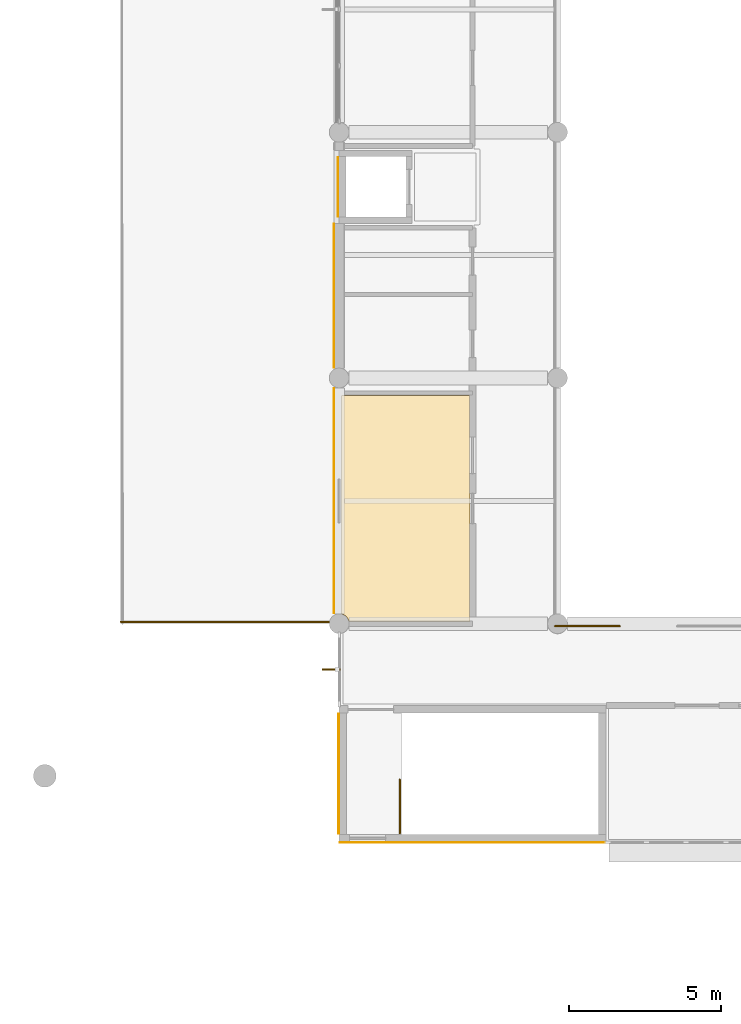
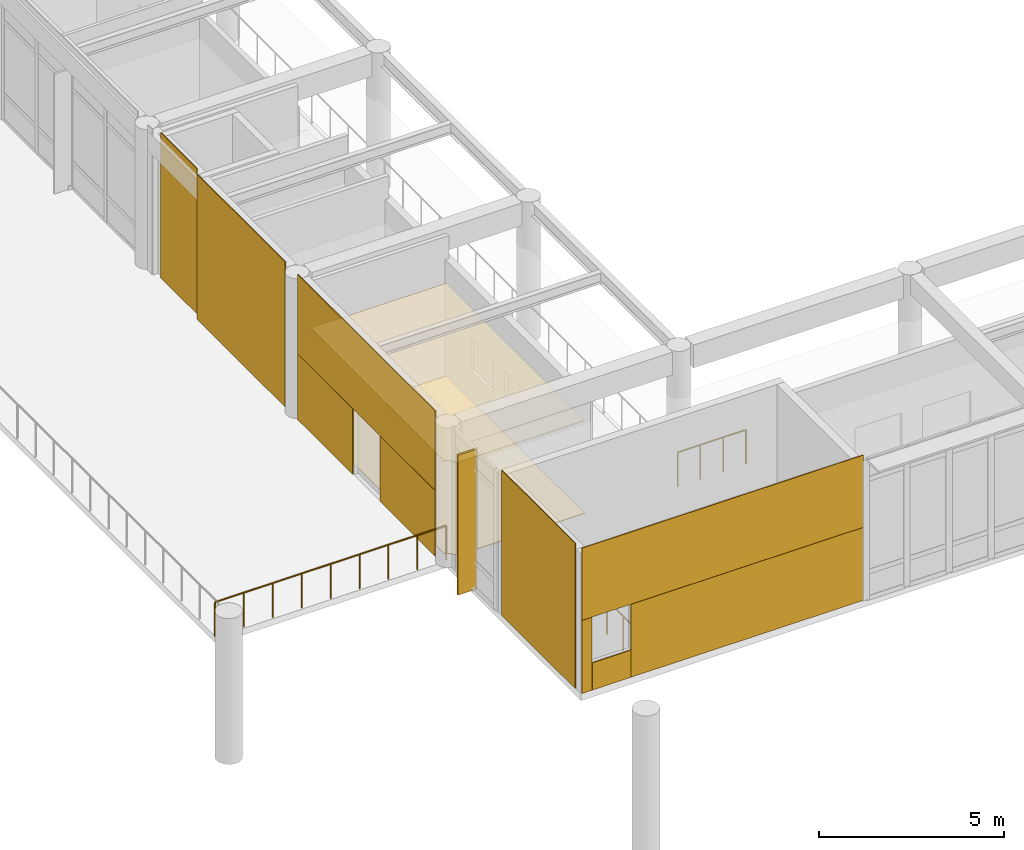
# One storey, part 67 of 92: 12 coverings, 3 railings, 1 shading device.
"""IFC4 building model written with IfcOpenShell, lengths in metres."""

from ifc_helpers import new_model, si_unit, direction, frame, origin, origin_2d, place, context, subcontext, project, spatial, polyline, rectangle, circle, outline, extrude, material, layer, layer_set, type_object, element, save


model = new_model("IFC4")

# Units and contexts
model_context = context("Model", 3, precision=1e-05, world=origin(), true_north=direction((0.0, 1.0)))
body_context = subcontext(model_context, "Body", "Model", "MODEL_VIEW")
ifc_project = project(units=[si_unit("LENGTHUNIT", "METRE"), si_unit("AREAUNIT", "SQUARE_METRE"), si_unit("VOLUMEUNIT", "CUBIC_METRE"), si_unit("PLANEANGLEUNIT", "RADIAN"), si_unit("MASSUNIT", "GRAM", prefix="KILO")], contexts=[model_context])

# Site, building, storey
site_placement = place(None, origin())
site = spatial("IfcSite", under=ifc_project, at=site_placement, CompositionType="ELEMENT")
building_placement = place(site_placement, origin())
building = spatial("IfcBuilding", under=site, at=building_placement, Name="Namkhue Oval Health Centre", CompositionType="ELEMENT")
storey_placement = place(building_placement, frame((0.0, 0.0, 4.800048828125)))
storey = spatial("IfcBuildingStorey", under=building, at=storey_placement, Name="L01", CompositionType="ELEMENT", Elevation=4.800048828125)

# Coverings
ifc_material_1 = material(Name="Acoustic mineral-fibre cleanroom ceiling", Category="gypsum")
ifc_layer_1 = layer(ifc_material_1, 0.02001953125)
ifc_layer_set_1 = layer_set([ifc_layer_1], Name="Acoustic mineral-fibre cleanroom ceiling")
covering_type_1 = type_object("IfcCoveringType", Name="ACOUSTIC CLEANROOM CEILING 20", PredefinedType="CEILING", material=ifc_layer_set_1)
covering_1_placement = place(storey_placement, frame((0.0, 0.0, 3.050048828125)))
element("IfcCovering", 1, at=covering_1_placement, inside=storey, type_object=covering_type_1, Name="Acoustic Ceiling L01-101 Waiting Hall West Terrace Lounge", PredefinedType="CEILING", context=body_context, shape_type="SweptSolid", body=[
    extrude(outline(polyline([(21.92578125, 43.27001953125), (21.923583984375, 43.28662109375), (21.89013671875, 43.367431640625), (21.8369140625, 43.43701171875), (21.767578125, 43.489990234375), (21.68505859375, 43.523681640625), (21.68505859375, 50.72998046875), (25.919921875, 50.72998046875), (25.919921875, 43.27001953125), (21.92578125, 43.27001953125)])), origin(), (0.0, 0.0, 1.0), 0.02001953125),
])
ifc_material_2 = material(Name="Homogeneous anti-bacterial clinical vinyl flooring", Category="plastic")
ifc_layer_2 = layer(ifc_material_2, 0.014892578125)
ifc_layer_set_2 = layer_set([ifc_layer_2], Name="Homogeneous anti-bacterial clinical vinyl flooring")
covering_type_2 = type_object("IfcCoveringType", Name="CLINICAL ANTIBACTERIAL VINYL FLOORING 15", PredefinedType="FLOORING", material=ifc_layer_set_2)
covering_2_placement = place(storey_placement, origin())
element("IfcCovering", 2, at=covering_2_placement, inside=storey, type_object=covering_type_2, Name="Clinical Flooring L01-101 Waiting Hall West Terrace Lounge", PredefinedType="FLOORING", context=body_context, shape_type="SweptSolid", body=[
    extrude(outline(polyline([(21.92578125, 43.27001953125), (21.923583984375, 43.28662109375), (21.89013671875, 43.367431640625), (21.8369140625, 43.43701171875), (21.767578125, 43.489990234375), (21.68505859375, 43.523681640625), (21.68505859375, 50.72998046875), (25.919921875, 50.72998046875), (25.919921875, 43.27001953125), (21.92578125, 43.27001953125)])), origin(), (0.0, 0.0, 1.0), 0.014892578125),
])

# Railings
ifc_material_3 = material(Name="Brushed stainless steel 316L balustrade with laminated glass infill", Category="steel")
railing_type_1 = type_object("IfcRailingType", Name="EXTERIOR BALUSTRADE GUARD 1150", PredefinedType="BALUSTRADE", material=ifc_material_3)
railing_1_placement = place(storey_placement, frame((14.39990234375, 43.260009765625, 0.0)))
element("IfcRailing", 3, at=railing_1_placement, inside=storey, type_object=railing_type_1, Name="Volume V1 L01 Terrace Balustrade Guard 1", PredefinedType="BALUSTRADE", context=body_context, shape_type="SweptSolid", body=[
    extrude(circle(Radius=0.02392578125, at=origin_2d()), frame((0.0, 0.0, 1.1259765625), z_axis=(1.0, 0.0, 0.0), x_axis=(0.0, 1.0, 0.0)), (0.0, 0.0, 1.0), 7.2001953125),
    extrude(circle(Radius=0.02099609375, at=origin_2d()), origin(), (0.0, 0.0, 1.0), 1.101806640625),
    extrude(circle(Radius=0.02099609375, at=origin_2d()), frame((0.89990234375, 0.0, 0.0)), (0.0, 0.0, 1.0), 1.101806640625),
    extrude(circle(Radius=0.02099609375, at=origin_2d()), frame((1.800048828125, 0.0, 0.0)), (0.0, 0.0, 1.0), 1.101806640625),
    extrude(circle(Radius=0.02099609375, at=origin_2d()), frame((2.7001953125, 0.0, 0.0)), (0.0, 0.0, 1.0), 1.101806640625),
    extrude(circle(Radius=0.02099609375, at=origin_2d()), frame((3.60009765625, 0.0, 0.0)), (0.0, 0.0, 1.0), 1.101806640625),
    extrude(circle(Radius=0.02099609375, at=origin_2d()), frame((4.5, 0.0, 0.0)), (0.0, 0.0, 1.0), 1.101806640625),
    extrude(circle(Radius=0.02099609375, at=origin_2d()), frame((5.400146484375, 0.0, 0.0)), (0.0, 0.0, 1.0), 1.101806640625),
    extrude(circle(Radius=0.02099609375, at=origin_2d()), frame((6.30029296875, 0.0, 0.0)), (0.0, 0.0, 1.0), 1.101806640625),
    extrude(circle(Radius=0.02099609375, at=origin_2d()), frame((7.2001953125, 0.0, 0.0)), (0.0, 0.0, 1.0), 1.101806640625),
])
railing_type_2 = type_object("IfcRailingType", Name="INTERIOR BALUSTRADE GUARD 1150", PredefinedType="BALUSTRADE", material=ifc_material_3)
railing_2_placement = place(storey_placement, frame((23.60009765625, 36.2900390625, 0.0)))
element("IfcRailing", 4, at=railing_2_placement, inside=storey, type_object=railing_type_2, Name="Stair ST-01 L01 Landing Well Edge Guard", PredefinedType="BALUSTRADE", context=body_context, shape_type="SweptSolid", body=[
    extrude(circle(Radius=0.02392578125, at=origin_2d()), frame((0.0, 0.0, 1.1259765625), z_axis=(0.0, 1.0, 0.0), x_axis=(-1.0, 0.0, 0.0)), (0.0, 0.0, 1.0), 1.77001953125),
    extrude(circle(Radius=0.02099609375, at=origin_2d()), origin(), (0.0, 0.0, 1.0), 1.101806640625),
    extrude(circle(Radius=0.02099609375, at=origin_2d()), frame((0.0, 0.885009765625, 0.0)), (0.0, 0.0, 1.0), 1.101806640625),
    extrude(circle(Radius=0.02099609375, at=origin_2d()), frame((0.0, 1.77001953125, 0.0)), (0.0, 0.0, 1.0), 1.101806640625),
])
railing_3_placement = place(storey_placement, frame((28.719970703125, 43.1201171875, 0.0)))
element("IfcRailing", 5, at=railing_3_placement, inside=storey, type_object=railing_type_2, Name="Waiting Hall L01 Mezzanine Atrium Guard 2", PredefinedType="BALUSTRADE", context=body_context, shape_type="SweptSolid", body=[
    extrude(circle(Radius=0.02392578125, at=origin_2d()), frame((0.0, 0.0, 1.1259765625), z_axis=(1.0, 0.0, 0.0), x_axis=(0.0, 1.0, 0.0)), (0.0, 0.0, 1.0), 2.130126953125),
    extrude(circle(Radius=0.02099609375, at=origin_2d()), origin(), (0.0, 0.0, 1.0), 1.101806640625),
    extrude(circle(Radius=0.02099609375, at=origin_2d()), frame((0.7099609375, 0.0, 0.0)), (0.0, 0.0, 1.0), 1.101806640625),
    extrude(circle(Radius=0.02099609375, at=origin_2d()), frame((1.420166015625, 0.0, 0.0)), (0.0, 0.0, 1.0), 1.101806640625),
    extrude(circle(Radius=0.02099609375, at=origin_2d()), frame((2.130126953125, 0.0, 0.0)), (0.0, 0.0, 1.0), 1.101806640625),
])

# Shading device
ifc_material_4 = material(Name="Anodised aluminium EN AW-6063 T6", Category="aluminium")
shading_device_type = type_object("IfcShadingDeviceType", Name="VERTICAL SOLAR FIN 600", PredefinedType="USERDEFINED", material=ifc_material_4)
shading_device_placement = place(storey_placement, frame((21.340087890625, 41.69091796875, 0.0), z_axis=(0.0, 0.0, 1.0), x_axis=(-1.0, 0.0, 0.0)))
element("IfcShadingDevice", 6, at=shading_device_placement, inside=storey, type_object=shading_device_type, Name="Volume V1 L01 Extruded Aluminium Solar Fin 44", ObjectType="SOLAR FIN", PredefinedType="USERDEFINED", context=body_context, shape_type="SweptSolid", body=[
    extrude(rectangle(XDim=0.60009765625, YDim=0.06005859375, at=origin_2d()), origin(), (0.0, 0.0, 1.0), 4.60009765625),
])

# Coverings
ifc_material_5 = material(Name="White glass-fibre reinforced concrete GRC rainscreen cladding", Category="concrete")
ifc_layer_3 = layer(ifc_material_5, 0.02490234375)
ifc_layer_set_3 = layer_set([ifc_layer_3], Name="White glass-fibre reinforced concrete GRC rainscreen cladding")
covering_type_3 = type_object("IfcCoveringType", Name="WHITE GRC RAINSCREEN CLADDING 25", PredefinedType="CLADDING", material=ifc_layer_set_3)
covering_3_placement = place(storey_placement, frame((21.43310546875, 54.009033203125, 0.009765625), z_axis=(0.0, 0.0, 1.0), x_axis=(0.0, -1.0, 0.0)))
element("IfcCovering", 7, at=covering_3_placement, inside=storey, type_object=covering_type_3, Name="Volume V1 L01 Facade 14 White GRC Cladding 1", PredefinedType="CLADDING", context=body_context, shape_type="SweptSolid", body=[
    extrude(rectangle(XDim=4.738037109375, YDim=0.02490234375, at=origin_2d()), origin(), (0.0, 0.0, 1.0), 4.780029296875),
])
covering_4_placement = place(storey_placement, frame((21.427978515625, 47.25, 2.1748046875), z_axis=(0.0, 0.0, 1.0), x_axis=(0.0, -1.0, 0.0)))
element("IfcCovering", 8, at=covering_4_placement, inside=storey, type_object=covering_type_3, Name="Volume V1 L01 Facade 15 White GRC Cladding 1", PredefinedType="CLADDING", context=body_context, shape_type="SweptSolid", body=[
    extrude(rectangle(XDim=7.419921875, YDim=0.02490234375, at=origin_2d()), origin(), (0.0, 0.0, 1.0), 2.614990234375),
])
for number, where, z_axis, x_axis, name in (
    (9, (21.427978515625, 49.472412109375, 0.009765625), (0.0, 0.0, 1.0), (0.0, -1.0, 0.0), "Volume V1 L01 Facade 15 White GRC Cladding 2"),
    (10, (21.427978515625, 45.027587890625, 0.009765625), (0.0, 0.0, 1.0), (0.0, -1.0, 0.0), "Volume V1 L01 Facade 15 White GRC Cladding 3"),
):
    element("IfcCovering", number, at=place(storey_placement, frame(where, z_axis=z_axis, x_axis=x_axis)), inside=storey, type_object=covering_type_3, Name=name, PredefinedType="CLADDING", context=body_context, shape_type="SweptSolid", body=[
        extrude(rectangle(XDim=2.97509765625, YDim=0.02490234375, at=origin_2d()), origin(), (0.0, 0.0, 1.0), 2.159912109375),
    ])
covering_5_placement = place(storey_placement, frame((26.0, 35.988037109375, 2.4150390625), z_axis=(0.0, 0.0, 1.0), x_axis=(1.0, 0.0, 0.0)))
element("IfcCovering", 11, at=covering_5_placement, inside=storey, type_object=covering_type_3, Name="Core SC-01 L01 Core S White GRC Cladding 1", PredefinedType="CLADDING", context=body_context, shape_type="SweptSolid", body=[
    extrude(rectangle(XDim=8.760009765625, YDim=0.02490234375, at=origin_2d()), origin(), (0.0, 0.0, 1.0), 2.375),
])
covering_6_placement = place(storey_placement, frame((21.777587890625, 35.988037109375, 0.010009765625), z_axis=(0.0, 0.0, 1.0), x_axis=(1.0, 0.0, 0.0)))
element("IfcCovering", 12, at=covering_6_placement, inside=storey, type_object=covering_type_3, Name="Core SC-01 L01 Core S White GRC Cladding 2", PredefinedType="CLADDING", context=body_context, shape_type="SweptSolid", body=[
    extrude(rectangle(XDim=0.31494140625, YDim=0.02490234375, at=origin_2d()), origin(), (0.0, 0.0, 1.0), 2.39990234375),
])
covering_7_placement = place(storey_placement, frame((22.5400390625, 35.988037109375, 0.010009765625), z_axis=(0.0, 0.0, 1.0), x_axis=(1.0, 0.0, 0.0)))
element("IfcCovering", 13, at=covering_7_placement, inside=storey, type_object=covering_type_3, Name="Core SC-01 L01 Core S White GRC Cladding 3", PredefinedType="CLADDING", context=body_context, shape_type="SweptSolid", body=[
    extrude(rectangle(XDim=1.199951171875, YDim=0.02490234375, at=origin_2d()), origin(), (0.0, 0.0, 1.0), 0.89501953125),
])
covering_8_placement = place(storey_placement, frame((26.762451171875, 35.988037109375, 0.010009765625), z_axis=(0.0, 0.0, 1.0), x_axis=(1.0, 0.0, 0.0)))
element("IfcCovering", 14, at=covering_8_placement, inside=storey, type_object=covering_type_3, Name="Core SC-01 L01 Core S White GRC Cladding 4", PredefinedType="CLADDING", context=body_context, shape_type="SweptSolid", body=[
    extrude(rectangle(XDim=7.235107421875, YDim=0.02490234375, at=origin_2d()), origin(), (0.0, 0.0, 1.0), 2.39990234375),
])
covering_9_placement = place(storey_placement, frame((21.587890625, 38.25, 0.009765625), z_axis=(0.0, 0.0, 1.0), x_axis=(0.0, -1.0, 0.0)))
element("IfcCovering", 15, at=covering_9_placement, inside=storey, type_object=covering_type_3, Name="Core SC-01 L01 Core W White GRC Cladding 1", PredefinedType="CLADDING", context=body_context, shape_type="SweptSolid", body=[
    extrude(rectangle(XDim=3.9599609375, YDim=0.02490234375, at=origin_2d()), origin(), (0.0, 0.0, 1.0), 4.780029296875),
])
covering_10_placement = place(storey_placement, frame((21.56298828125, 57.60009765625, 0.009765625), z_axis=(0.0, 0.0, 1.0), x_axis=(0.0, -1.0, 0.0)))
element("IfcCovering", 16, at=covering_10_placement, inside=storey, type_object=covering_type_3, Name="Lift LF-08 L01 W White GRC Cladding 1", PredefinedType="CLADDING", context=body_context, shape_type="SweptSolid", body=[
    extrude(rectangle(XDim=1.9599609375, YDim=0.02490234375, at=origin_2d()), origin(), (0.0, 0.0, 1.0), 4.780029296875),
])

save(model, "model.ifc")
